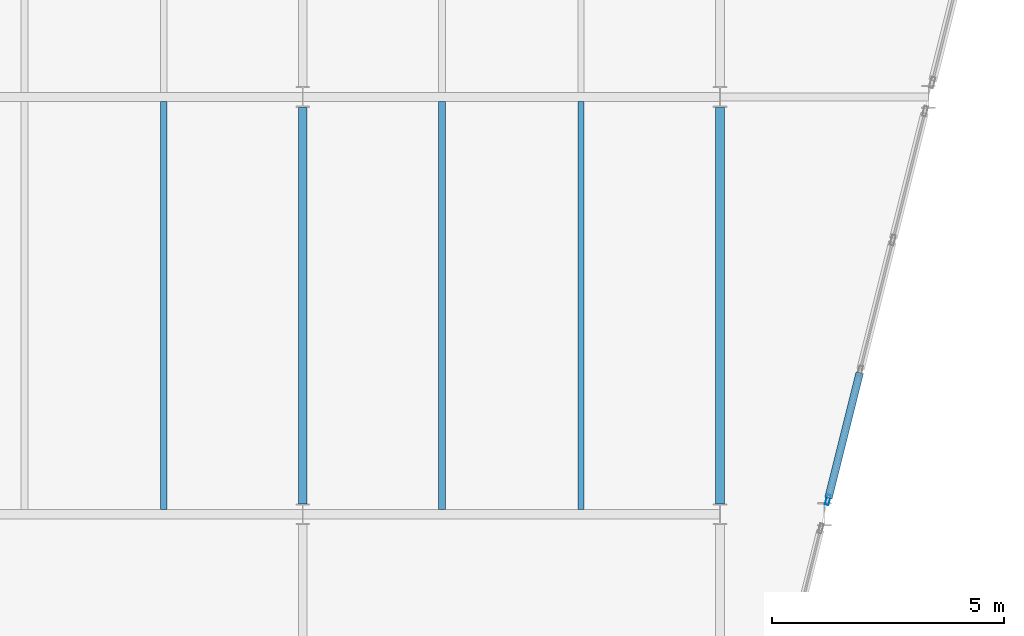
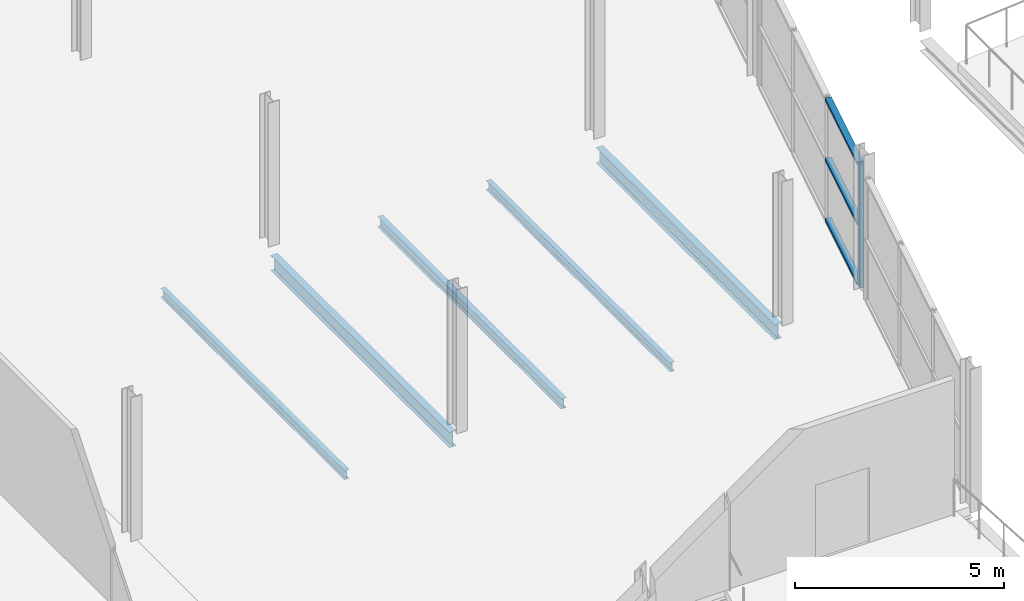
# One storey, part 52 of 135: 5 beams, 4 members, 1 element without a shape of its own.
"""IFC4 building model written with IfcOpenShell, lengths in metres."""

from ifc_helpers import new_model, si_unit, direction, frame, origin, origin_2d, place, context, subcontext, project, spatial, hollow_rectangle, i_section, extrude, material, layer, layer_set, material_profile, profile_set, type_object, element, aggregate, save


model = new_model("IFC4")

# Units and contexts
model_context = context("Model", 3, precision=1e-05, world=origin(), true_north=direction((0.0, 1.0)))
body_context = subcontext(model_context, "Body", "Model", "MODEL_VIEW")
ifc_project = project(units=[si_unit("LENGTHUNIT", "METRE"), si_unit("AREAUNIT", "SQUARE_METRE"), si_unit("VOLUMEUNIT", "CUBIC_METRE"), si_unit("PLANEANGLEUNIT", "RADIAN"), si_unit("MASSUNIT", "GRAM", prefix="KILO")], contexts=[model_context])

# Site, building, storey
site_placement = place(None, origin())
site = spatial("IfcSite", under=ifc_project, at=site_placement, CompositionType="ELEMENT")
building_placement = place(site_placement, origin())
building = spatial("IfcBuilding", under=site, at=building_placement, Name="Deido Ridge Mobility Hub", CompositionType="ELEMENT")
storey_placement = place(building_placement, frame((0.0, 0.0, 4.199951171875)))
storey = spatial("IfcBuildingStorey", under=building, at=storey_placement, Name="L01", CompositionType="ELEMENT", Elevation=4.199951171875)

# Beams
ifc_material_1 = material(Name="Steel S355J2 EN 10025-2", Category="steel")
ifc_material_profile_1 = material_profile(ifc_material_1, i_section(OverallWidth=0.18994140625, OverallDepth=0.449951171875, WebThickness=0.009521484375, FlangeThickness=0.0146484375, FilletRadius=0.02099609375, at=origin_2d()), Name="IPE 450")
ifc_profile_set_1 = profile_set([ifc_material_profile_1], Name="Steel S355J2 EN 10025-2")
beam_type_1 = type_object("IfcBeamType", Name="BM-IPE450", PredefinedType="BEAM", material=ifc_profile_set_1)
for number, where, z_axis, x_axis, name in (
    (1, (36.0, 54.22509765625, -0.474853515625), (0.0, 1.0, 0.0), (-1.0, 0.0, 0.0), "Floor beam B4"),
    (2, (45.0, 54.22509765625, -0.474853515625), (0.0, 1.0, 0.0), (-1.0, 0.0, 0.0), "Floor beam B4"),
):
    element("IfcBeam", number, at=place(storey_placement, frame(where, z_axis=z_axis, x_axis=x_axis)), inside=storey, type_object=beam_type_1, Name=name, PredefinedType="BEAM", context=body_context, shape_type="SweptSolid", body=[
        extrude(i_section(OverallWidth=0.18994140625, OverallDepth=0.449951171875, WebThickness=0.009521484375, FlangeThickness=0.0146484375, FilletRadius=0.02099609375, at=origin_2d()), origin(), (0.0, 0.0, 1.0), 8.5498046875),
    ])
ifc_material_profile_2 = material_profile(ifc_material_1, i_section(OverallWidth=0.135009765625, OverallDepth=0.27001953125, WebThickness=0.006591796875, FlangeThickness=0.01025390625, FilletRadius=0.014892578125, at=origin_2d()), Name="IPE 270")
ifc_profile_set_2 = profile_set([ifc_material_profile_2], Name="Steel S355J2 EN 10025-2")
beam_type_2 = type_object("IfcBeamType", Name="JST-IPE270", PredefinedType="JOIST", material=ifc_profile_set_2)
for number, where, z_axis, x_axis, name in (
    (3, (33.0, 54.10009765625, -0.385009765625), (0.0, 1.0, 0.0), (-1.0, 0.0, 0.0), "Composite joist J4"),
    (4, (42.0, 54.10009765625, -0.385009765625), (0.0, 1.0, 0.0), (-1.0, 0.0, 0.0), "Composite joist J4"),
):
    element("IfcBeam", number, at=place(storey_placement, frame(where, z_axis=z_axis, x_axis=x_axis)), inside=storey, type_object=beam_type_2, Name=name, PredefinedType="JOIST", context=body_context, shape_type="SweptSolid", body=[
        extrude(i_section(OverallWidth=0.135009765625, OverallDepth=0.27001953125, WebThickness=0.006591796875, FlangeThickness=0.01025390625, FilletRadius=0.014892578125, at=origin_2d()), origin(), (0.0, 0.0, 1.0), 8.7998046875),
    ])
ifc_material_profile_3 = material_profile(ifc_material_1, i_section(OverallWidth=0.14990234375, OverallDepth=0.300048828125, WebThickness=0.007080078125, FlangeThickness=0.0107421875, FilletRadius=0.014892578125, at=origin_2d()), Name="IPE 300")
ifc_profile_set_3 = profile_set([ifc_material_profile_3], Name="Steel S355J2 EN 10025-2")
beam_type_3 = type_object("IfcBeamType", Name="JST-IPE300", PredefinedType="JOIST", material=ifc_profile_set_3)
beam_placement = place(storey_placement, frame((39.0, 54.10009765625, -0.39990234375), z_axis=(0.0, 1.0, 0.0), x_axis=(-1.0, 0.0, 0.0)))
element("IfcBeam", 5, at=beam_placement, inside=storey, type_object=beam_type_3, Name="Composite joist J3", PredefinedType="JOIST", context=body_context, shape_type="SweptSolid", body=[
    extrude(i_section(OverallWidth=0.14990234375, OverallDepth=0.300048828125, WebThickness=0.007080078125, FlangeThickness=0.0107421875, FilletRadius=0.014892578125, at=origin_2d()), origin(), (0.0, 0.0, 1.0), 8.7998046875),
])

# Curtain wall, members
ifc_material_2 = material(Name="Anodised aluminium EN AW-6063 T6", Category="aluminium")
ifc_layer = layer(ifc_material_2, 0.239990234375, Name="Anodised aluminium EN AW-6063 T6")
ifc_layer_set = layer_set([ifc_layer], Name="Anodised aluminium EN AW-6063 T6")
curtain_wall_type = type_object("IfcCurtainWallType", Name="CW-UF-6", PredefinedType="USERDEFINED", material=ifc_layer_set)
curtain_wall_placement = place(storey_placement, origin())
curtain_wall = element("IfcCurtainWall", 6, at=curtain_wall_placement, inside=storey, type_object=curtain_wall_type, Name="Unitised curtain wall CW6", ObjectType="UNITISED FACADE", PredefinedType="USERDEFINED")
ifc_material_profile_4 = material_profile(ifc_material_2, hollow_rectangle(XDim=0.080078125, YDim=0.219970703125, WallThickness=0.00390625, at=origin_2d()), Name="RHS 80x220x4")
ifc_profile_set_4 = profile_set([ifc_material_profile_4], Name="Anodised aluminium EN AW-6063 T6")
member_type_1 = type_object("IfcMemberType", Name="MEM-MUL-80X220", PredefinedType="MULLION", material=ifc_profile_set_4)
member_1_placement = place(storey_placement, frame((47.327392578125, 54.309326171875, 0.0), z_axis=(0.0, 0.0, 1.0), x_axis=(-0.970139801497, 0.242546419373, 0.0)))
member_1 = element("IfcMember", 7, at=member_1_placement, type_object=member_type_1, Name="CW6 mullion 1", PredefinedType="MULLION", context=body_context, shape_type="SweptSolid", body=[
    extrude(hollow_rectangle(XDim=0.080078125, YDim=0.219970703125, WallThickness=0.00390625, at=origin_2d()), origin(), (0.0, 0.0, 1.0), 3.60009765625),
])
ifc_material_profile_5 = material_profile(ifc_material_2, hollow_rectangle(XDim=0.1650390625, YDim=0.080078125, WallThickness=0.00390625, at=origin_2d()), Name="RHS 165x80x4")
ifc_profile_set_5 = profile_set([ifc_material_profile_5], Name="Anodised aluminium EN AW-6063 T6")
member_type_2 = type_object("IfcMemberType", Name="MEM-TRN-165X80", PredefinedType="USERDEFINED", material=ifc_profile_set_5)
member_2_placement = place(storey_placement, frame((47.3369140625, 54.34814453125, 0.0400390625), z_axis=(0.242597468268, 0.970127037243, 0.0), x_axis=(-0.970127037243, 0.242597468268, 0.0)))
member_2 = element("IfcMember", 8, at=member_2_placement, type_object=member_type_2, Name="CW6 transom 1.1", ObjectType="TRANSOM", PredefinedType="USERDEFINED", context=body_context, shape_type="SweptSolid", body=[
    extrude(hollow_rectangle(XDim=0.1650390625, YDim=0.080078125, WallThickness=0.00390625, at=origin_2d()), origin(), (0.0, 0.0, 1.0), 2.78662109375),
])
member_3_placement = place(storey_placement, frame((47.3369140625, 54.34814453125, 1.800048828125), z_axis=(0.242597468268, 0.970127037243, 0.0), x_axis=(-0.970127037243, 0.242597468268, 0.0)))
member_3 = element("IfcMember", 9, at=member_3_placement, type_object=member_type_2, Name="CW6 transom 1.2", ObjectType="TRANSOM", PredefinedType="USERDEFINED", context=body_context, shape_type="SweptSolid", body=[
    extrude(hollow_rectangle(XDim=0.1650390625, YDim=0.080078125, WallThickness=0.00390625, at=origin_2d()), origin(), (0.0, 0.0, 1.0), 2.78662109375),
])
member_4_placement = place(storey_placement, frame((47.3369140625, 54.34814453125, 3.56005859375), z_axis=(0.242597468268, 0.970127037243, 0.0), x_axis=(-0.970127037243, 0.242597468268, 0.0)))
member_4 = element("IfcMember", 10, at=member_4_placement, type_object=member_type_2, Name="CW6 transom 1.3", ObjectType="TRANSOM", PredefinedType="USERDEFINED", context=body_context, shape_type="SweptSolid", body=[
    extrude(hollow_rectangle(XDim=0.1650390625, YDim=0.080078125, WallThickness=0.00390625, at=origin_2d()), origin(), (0.0, 0.0, 1.0), 2.78662109375),
])
aggregate(curtain_wall, [member_1, member_2, member_3, member_4])

save(model, "model.ifc")
